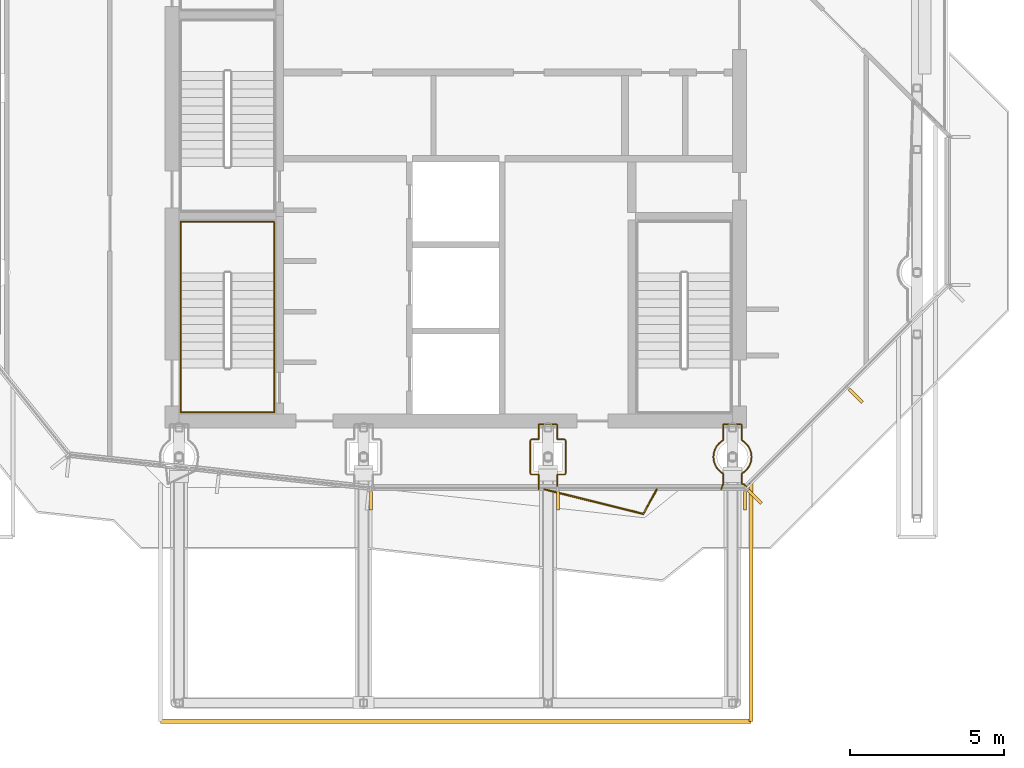
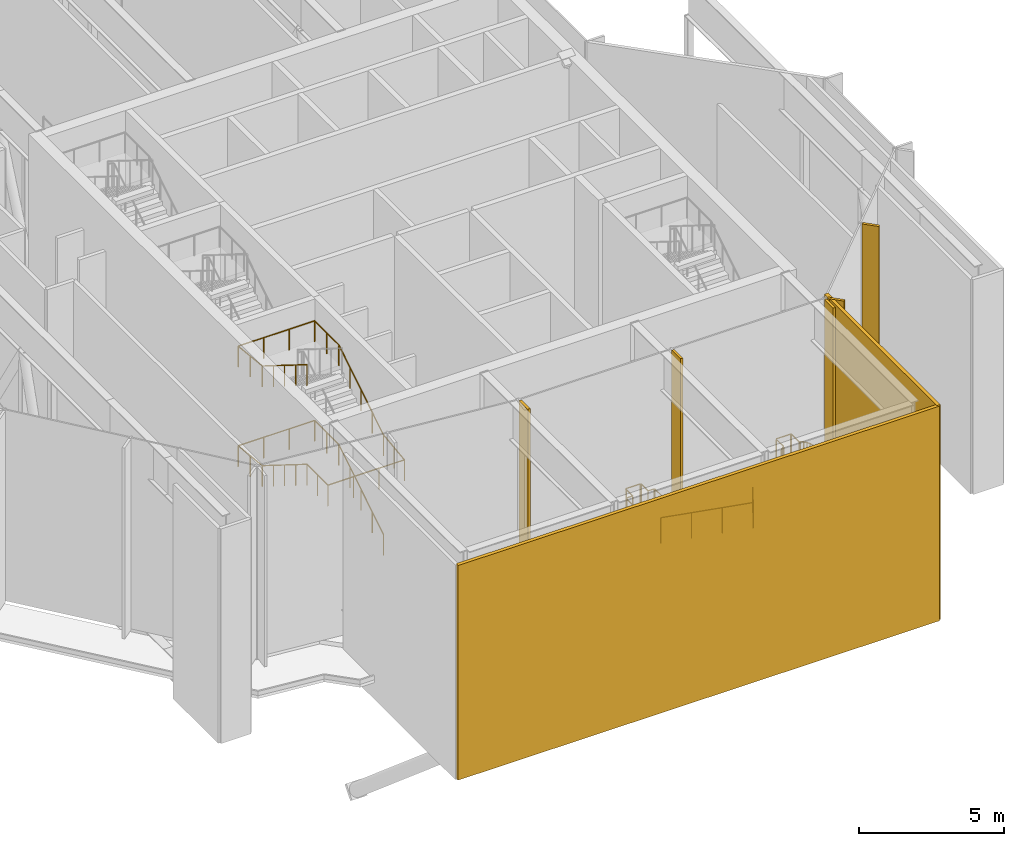
# One storey, part 16 of 21: 7 coverings, 4 railings.
"""IFC4 building model written with IfcOpenShell, lengths in metres."""

from ifc_helpers import new_model, si_unit, direction, frame, origin, origin_2d, place, context, subcontext, project, spatial, polyline, rectangle, circle, outline, extrude, material, layer, layer_set, type_object, element, save


model = new_model("IFC4")

# Units and contexts
model_context = context("Model", 3, precision=1e-05, world=origin(), true_north=direction((0.0, 1.0)))
body_context = subcontext(model_context, "Body", "Model", "MODEL_VIEW")
ifc_project = project(units=[si_unit("LENGTHUNIT", "METRE"), si_unit("AREAUNIT", "SQUARE_METRE"), si_unit("VOLUMEUNIT", "CUBIC_METRE"), si_unit("PLANEANGLEUNIT", "RADIAN"), si_unit("MASSUNIT", "GRAM", prefix="KILO")], contexts=[model_context])

# Site, building, storey
site_placement = place(None, origin())
site = spatial("IfcSite", under=ifc_project, at=site_placement, CompositionType="ELEMENT")
building_placement = place(site_placement, origin())
building = spatial("IfcBuilding", under=site, at=building_placement, Name="Welwitschia Terrace Campus", CompositionType="ELEMENT")
storey_placement = place(building_placement, frame((0.0, 0.0, 255.800048828125)))
storey = spatial("IfcBuildingStorey", under=building, at=storey_placement, Name="L57", CompositionType="ELEMENT", Elevation=255.800048828125)

# Coverings
ifc_material_1 = material(Name="Bronze anodised aluminium", Category="aluminium")
ifc_layer_1 = layer(ifc_material_1, 0.10009765625)
ifc_layer_set_1 = layer_set([ifc_layer_1], Name="Bronze anodised aluminium")
covering_type_1 = type_object("IfcCoveringType", Name="Bronze fin 100x600", PredefinedType="USERDEFINED", material=ifc_layer_set_1)
for number, where, z_axis, x_axis, name in (
    (1, (24.724853515625, 2.702392578125, 0.0), (0.0, 0.0, 1.0), (0.707106781187, 0.707106781187, 0.0), "Fin L57.0.0"),
    (2, (28.01123046875, 5.98876953125, 0.0), (0.0, 0.0, 1.0), (0.707106781187, 0.707106781187, 0.0), "Fin L57.0.1"),
    (3, (12.23583984375, 2.570068359375, 0.0), (0.0, 0.0, 1.0), (1.0, 0.0, 0.0), "Fin L57.11.0"),
    (4, (18.3203125, 2.570068359375, 0.0), (0.0, 0.0, 1.0), (1.0, 0.0, 0.0), "Fin L57.11.1"),
    (5, (24.40478515625, 2.570068359375, 0.0), (0.0, 0.0, 1.0), (1.0, 0.0, 0.0), "Fin L57.11.2"),
):
    element("IfcCovering", number, at=place(storey_placement, frame(where, z_axis=z_axis, x_axis=x_axis)), inside=storey, type_object=covering_type_1, Name=name, ObjectType="FIN", PredefinedType="USERDEFINED", context=body_context, shape_type="SweptSolid", body=[
        extrude(rectangle(XDim=0.10009765625, YDim=0.60009765625, at=origin_2d()), origin(), (0.0, 0.0, 1.0), 8.050048828125),
    ])

# Railings
ifc_material_2 = material(Name="Stainless steel grade 316", Category="steel")
railing_type_1 = type_object("IfcRailingType", Name="Guard 1100", PredefinedType="GUARDRAIL", material=ifc_material_2)
railing_1_placement = place(storey_placement, frame((21.539306640625, 2.949951171875, 0.0)))
element("IfcRailing", 6, at=railing_1_placement, inside=storey, type_object=railing_type_1, Name="Guard floor edge L57.2", PredefinedType="GUARDRAIL", context=body_context, shape_type="SweptSolid", body=[
    extrude(circle(Radius=0.02392578125, at=origin_2d()), frame((0.0, 0.0, 1.076171875), z_axis=(-0.480290199328, -0.877109642194, 0.0), x_axis=(0.877109642194, -0.480290199328, 0.0)), (0.0, 0.0, 1.0), 0.91552734375),
    extrude(circle(Radius=0.02392578125, at=origin_2d()), frame((-0.439697265625, -0.802978515625, 1.076171875), z_axis=(-0.970341055112, 0.241740018956, 0.0), x_axis=(-0.241740018956, -0.970341055112, 0.0)), (0.0, 0.0, 1.0), 3.32177734375),
    extrude(circle(Radius=0.02099609375, at=origin_2d()), origin(), (0.0, 0.0, 1.0), 1.052001953125),
    extrude(circle(Radius=0.02099609375, at=origin_2d()), frame((-0.439697265625, -0.802978515625, 0.0)), (0.0, 0.0, 1.0), 1.052001953125),
    extrude(circle(Radius=0.02099609375, at=origin_2d()), frame((-1.51416015625, -0.535400390625, 0.0)), (0.0, 0.0, 1.0), 1.052001953125),
    extrude(circle(Radius=0.02099609375, at=origin_2d()), frame((-2.58837890625, -0.267578125, 0.0)), (0.0, 0.0, 1.0), 1.052001953125),
    extrude(circle(Radius=0.02099609375, at=origin_2d()), frame((-3.662841796875, 0.0, 0.0)), (0.0, 0.0, 1.0), 1.052001953125),
])
railing_2_placement = place(storey_placement, frame((24.485107421875, 3.000244140625, 0.0)))
element("IfcRailing", 7, at=railing_2_placement, inside=storey, type_object=railing_type_1, Name="Guard floor edge L57.5", PredefinedType="GUARDRAIL", context=body_context, shape_type="SweptSolid", body=[
    extrude(circle(Radius=0.02392578125, at=origin_2d()), frame((0.0, 0.0, 1.076171875), z_axis=(-0.709257116303, 0.704949886852, 0.0), x_axis=(-0.704949886852, -0.709257116303, 0.0)), (0.0, 0.0, 1.0), 0.170166015625),
    extrude(circle(Radius=0.02392578125, at=origin_2d()), frame((-0.12060546875, 0.119873046875, 1.076171875), z_axis=(-1.0, 0.0, 0.0), x_axis=(0.0, -1.0, 0.0)), (0.0, 0.0, 1.0), 0.0595703125),
    extrude(circle(Radius=0.02392578125, at=origin_2d()), frame((-0.18017578125, 0.119873046875, 1.076171875), z_axis=(0.0, 1.0, 0.0), x_axis=(-1.0, 0.0, 0.0)), (0.0, 0.0, 1.0), 0.342529296875),
    extrude(circle(Radius=0.02392578125, at=origin_2d()), frame((-0.18017578125, 0.46240234375, 1.076171875), z_axis=(0.882203075316, 0.470869126089, 0.0), x_axis=(-0.470869126089, 0.882203075316, 0.0)), (0.0, 0.0, 1.0), 0.045166015625),
    extrude(circle(Radius=0.02392578125, at=origin_2d()), frame((-0.140380859375, 0.483642578125, 1.076171875), z_axis=(0.771988113438, 0.63563696613, 0.0), x_axis=(-0.63563696613, 0.771988113438, 0.0)), (0.0, 0.0, 1.0), 0.121826171875),
    extrude(circle(Radius=0.02392578125, at=origin_2d()), frame((-0.04638671875, 0.56103515625, 1.076171875), z_axis=(0.63563696613, 0.771988113438, 0.0), x_axis=(-0.771988113438, 0.63563696613, 0.0)), (0.0, 0.0, 1.0), 0.121826171875),
    extrude(circle(Radius=0.02392578125, at=origin_2d()), frame((0.031005859375, 0.655029296875, 1.076171875), z_axis=(0.470379554069, 0.882464206138, 0.0), x_axis=(-0.882464206138, 0.470379554069, 0.0)), (0.0, 0.0, 1.0), 0.121337890625),
    extrude(circle(Radius=0.02392578125, at=origin_2d()), frame((0.088134765625, 0.76220703125, 1.076171875), z_axis=(0.290842335819, 0.956770994384, 0.0), x_axis=(-0.956770994384, 0.290842335819, 0.0)), (0.0, 0.0, 1.0), 0.121826171875),
    extrude(circle(Radius=0.02392578125, at=origin_2d()), frame((0.12353515625, 0.878662109375, 1.076171875), z_axis=(0.098311749281, 0.995155666192, 0.0), x_axis=(-0.995155666192, 0.098311749281, 0.0)), (0.0, 0.0, 1.0), 0.12158203125),
    extrude(circle(Radius=0.02392578125, at=origin_2d()), frame((0.135498046875, 0.999755859375, 1.076171875), z_axis=(-0.098311749281, 0.995155666192, 0.0), x_axis=(-0.995155666192, -0.098311749281, 0.0)), (0.0, 0.0, 1.0), 0.12158203125),
    extrude(circle(Radius=0.02392578125, at=origin_2d()), frame((0.12353515625, 1.120849609375, 1.076171875), z_axis=(-0.290842335819, 0.956770994384, 0.0), x_axis=(-0.956770994384, -0.290842335819, 0.0)), (0.0, 0.0, 1.0), 0.121826171875),
    extrude(circle(Radius=0.02392578125, at=origin_2d()), frame((0.088134765625, 1.2373046875, 1.076171875), z_axis=(-0.470379554069, 0.882464206138, 0.0), x_axis=(-0.882464206138, -0.470379554069, 0.0)), (0.0, 0.0, 1.0), 0.121337890625),
    extrude(circle(Radius=0.02392578125, at=origin_2d()), frame((0.031005859375, 1.344482421875, 1.076171875), z_axis=(-0.63563696613, 0.771988113438, 0.0), x_axis=(-0.771988113438, -0.63563696613, 0.0)), (0.0, 0.0, 1.0), 0.121826171875),
    extrude(circle(Radius=0.02392578125, at=origin_2d()), frame((-0.04638671875, 1.4384765625, 1.076171875), z_axis=(-0.771988113438, 0.63563696613, 0.0), x_axis=(-0.63563696613, -0.771988113438, 0.0)), (0.0, 0.0, 1.0), 0.121826171875),
    extrude(circle(Radius=0.02392578125, at=origin_2d()), frame((-0.140380859375, 1.515869140625, 1.076171875), z_axis=(-0.882203075316, 0.470869126089, 0.0), x_axis=(-0.470869126089, -0.882203075316, 0.0)), (0.0, 0.0, 1.0), 0.045166015625),
    extrude(circle(Radius=0.02392578125, at=origin_2d()), frame((-0.18017578125, 1.537109375, 1.076171875), z_axis=(0.0, 1.0, 0.0), x_axis=(-1.0, 0.0, 0.0)), (0.0, 0.0, 1.0), 0.5048828125),
    extrude(circle(Radius=0.02392578125, at=origin_2d()), frame((-0.18017578125, 2.0419921875, 1.076171875), z_axis=(-0.707106781187, 0.707106781187, 0.0), x_axis=(-0.707106781187, -0.707106781187, 0.0)), (0.0, 0.0, 1.0), 0.039306640625),
    extrude(circle(Radius=0.02392578125, at=origin_2d()), frame((-0.2080078125, 2.06982421875, 1.076171875), z_axis=(-1.0, 0.0, 0.0), x_axis=(0.0, -1.0, 0.0)), (0.0, 0.0, 1.0), 0.55419921875),
    extrude(circle(Radius=0.02392578125, at=origin_2d()), frame((-0.76220703125, 2.06982421875, 1.076171875), z_axis=(-0.707106781187, -0.707106781187, 0.0), x_axis=(0.707106781187, -0.707106781187, 0.0)), (0.0, 0.0, 1.0), 0.039306640625),
    extrude(circle(Radius=0.02392578125, at=origin_2d()), frame((-0.7900390625, 2.0419921875, 1.076171875), z_axis=(0.0, -1.0, 0.0), x_axis=(1.0, 0.0, 0.0)), (0.0, 0.0, 1.0), 0.5048828125),
    extrude(circle(Radius=0.02392578125, at=origin_2d()), frame((-0.7900390625, 1.537109375, 1.076171875), z_axis=(-0.882203075316, -0.470869126089, 0.0), x_axis=(0.470869126089, -0.882203075316, 0.0)), (0.0, 0.0, 1.0), 0.045166015625),
    extrude(circle(Radius=0.02392578125, at=origin_2d()), frame((-0.829833984375, 1.515869140625, 1.076171875), z_axis=(-0.771988113438, -0.63563696613, 0.0), x_axis=(0.63563696613, -0.771988113438, 0.0)), (0.0, 0.0, 1.0), 0.121826171875),
    extrude(circle(Radius=0.02392578125, at=origin_2d()), frame((-0.923828125, 1.4384765625, 1.076171875), z_axis=(-0.63563696613, -0.771988113438, 0.0), x_axis=(0.771988113438, -0.63563696613, 0.0)), (0.0, 0.0, 1.0), 0.121826171875),
    extrude(circle(Radius=0.02392578125, at=origin_2d()), frame((-1.001220703125, 1.344482421875, 1.076171875), z_axis=(-0.470379554069, -0.882464206138, 0.0), x_axis=(0.882464206138, -0.470379554069, 0.0)), (0.0, 0.0, 1.0), 0.121337890625),
    extrude(circle(Radius=0.02392578125, at=origin_2d()), frame((-1.058349609375, 1.2373046875, 1.076171875), z_axis=(-0.290842335819, -0.956770994384, 0.0), x_axis=(0.956770994384, -0.290842335819, 0.0)), (0.0, 0.0, 1.0), 0.121826171875),
    extrude(circle(Radius=0.02392578125, at=origin_2d()), frame((-1.09375, 1.120849609375, 1.076171875), z_axis=(-0.098311749281, -0.995155666192, 0.0), x_axis=(0.995155666192, -0.098311749281, 0.0)), (0.0, 0.0, 1.0), 0.12158203125),
    extrude(circle(Radius=0.02392578125, at=origin_2d()), frame((-1.105712890625, 0.999755859375, 1.076171875), z_axis=(0.098311749281, -0.995155666192, 0.0), x_axis=(0.995155666192, 0.098311749281, 0.0)), (0.0, 0.0, 1.0), 0.12158203125),
    extrude(circle(Radius=0.02392578125, at=origin_2d()), frame((-1.09375, 0.878662109375, 1.076171875), z_axis=(0.290842335819, -0.956770994384, 0.0), x_axis=(0.956770994384, 0.290842335819, 0.0)), (0.0, 0.0, 1.0), 0.121826171875),
    extrude(circle(Radius=0.02392578125, at=origin_2d()), frame((-1.058349609375, 0.76220703125, 1.076171875), z_axis=(0.470379554069, -0.882464206138, 0.0), x_axis=(0.882464206138, 0.470379554069, 0.0)), (0.0, 0.0, 1.0), 0.121337890625),
    extrude(circle(Radius=0.02392578125, at=origin_2d()), frame((-1.001220703125, 0.655029296875, 1.076171875), z_axis=(0.63563696613, -0.771988113438, 0.0), x_axis=(0.771988113438, 0.63563696613, 0.0)), (0.0, 0.0, 1.0), 0.121826171875),
    extrude(circle(Radius=0.02392578125, at=origin_2d()), frame((-0.923828125, 0.56103515625, 1.076171875), z_axis=(0.771988113438, -0.63563696613, 0.0), x_axis=(0.63563696613, 0.771988113438, 0.0)), (0.0, 0.0, 1.0), 0.121826171875),
    extrude(circle(Radius=0.02392578125, at=origin_2d()), frame((-0.829833984375, 0.483642578125, 1.076171875), z_axis=(0.882203075316, -0.470869126089, 0.0), x_axis=(0.470869126089, 0.882203075316, 0.0)), (0.0, 0.0, 1.0), 0.045166015625),
    extrude(circle(Radius=0.02392578125, at=origin_2d()), frame((-0.7900390625, 0.46240234375, 1.076171875), z_axis=(0.0, -1.0, 0.0), x_axis=(1.0, 0.0, 0.0)), (0.0, 0.0, 1.0), 0.342529296875),
    extrude(circle(Radius=0.02392578125, at=origin_2d()), frame((-0.7900390625, 0.119873046875, 1.076171875), z_axis=(-0.332820117735, -0.942990333583, 0.0), x_axis=(0.942990333583, -0.332820117735, 0.0)), (0.0, 0.0, 1.0), 0.180419921875),
    extrude(circle(Radius=0.02099609375, at=origin_2d()), origin(), (0.0, 0.0, 1.0), 1.052001953125),
    extrude(circle(Radius=0.02099609375, at=origin_2d()), frame((-0.12060546875, 0.119873046875, 0.0)), (0.0, 0.0, 1.0), 1.052001953125),
    extrude(circle(Radius=0.02099609375, at=origin_2d()), frame((-0.18017578125, 0.119873046875, 0.0)), (0.0, 0.0, 1.0), 1.052001953125),
    extrude(circle(Radius=0.02099609375, at=origin_2d()), frame((-0.18017578125, 0.46240234375, 0.0)), (0.0, 0.0, 1.0), 1.052001953125),
    extrude(circle(Radius=0.02099609375, at=origin_2d()), frame((-0.140380859375, 0.483642578125, 0.0)), (0.0, 0.0, 1.0), 1.052001953125),
    extrude(circle(Radius=0.02099609375, at=origin_2d()), frame((-0.04638671875, 0.56103515625, 0.0)), (0.0, 0.0, 1.0), 1.052001953125),
    extrude(circle(Radius=0.02099609375, at=origin_2d()), frame((0.031005859375, 0.655029296875, 0.0)), (0.0, 0.0, 1.0), 1.052001953125),
    extrude(circle(Radius=0.02099609375, at=origin_2d()), frame((0.088134765625, 0.76220703125, 0.0)), (0.0, 0.0, 1.0), 1.052001953125),
    extrude(circle(Radius=0.02099609375, at=origin_2d()), frame((0.12353515625, 0.878662109375, 0.0)), (0.0, 0.0, 1.0), 1.052001953125),
    extrude(circle(Radius=0.02099609375, at=origin_2d()), frame((0.135498046875, 0.999755859375, 0.0)), (0.0, 0.0, 1.0), 1.052001953125),
    extrude(circle(Radius=0.02099609375, at=origin_2d()), frame((0.12353515625, 1.120849609375, 0.0)), (0.0, 0.0, 1.0), 1.052001953125),
    extrude(circle(Radius=0.02099609375, at=origin_2d()), frame((0.088134765625, 1.2373046875, 0.0)), (0.0, 0.0, 1.0), 1.052001953125),
    extrude(circle(Radius=0.02099609375, at=origin_2d()), frame((0.031005859375, 1.344482421875, 0.0)), (0.0, 0.0, 1.0), 1.052001953125),
    extrude(circle(Radius=0.02099609375, at=origin_2d()), frame((-0.04638671875, 1.4384765625, 0.0)), (0.0, 0.0, 1.0), 1.052001953125),
    extrude(circle(Radius=0.02099609375, at=origin_2d()), frame((-0.140380859375, 1.515869140625, 0.0)), (0.0, 0.0, 1.0), 1.052001953125),
    extrude(circle(Radius=0.02099609375, at=origin_2d()), frame((-0.18017578125, 1.537109375, 0.0)), (0.0, 0.0, 1.0), 1.052001953125),
    extrude(circle(Radius=0.02099609375, at=origin_2d()), frame((-0.18017578125, 2.0419921875, 0.0)), (0.0, 0.0, 1.0), 1.052001953125),
    extrude(circle(Radius=0.02099609375, at=origin_2d()), frame((-0.2080078125, 2.06982421875, 0.0)), (0.0, 0.0, 1.0), 1.052001953125),
    extrude(circle(Radius=0.02099609375, at=origin_2d()), frame((-0.76220703125, 2.06982421875, 0.0)), (0.0, 0.0, 1.0), 1.052001953125),
    extrude(circle(Radius=0.02099609375, at=origin_2d()), frame((-0.7900390625, 2.0419921875, 0.0)), (0.0, 0.0, 1.0), 1.052001953125),
    extrude(circle(Radius=0.02099609375, at=origin_2d()), frame((-0.7900390625, 1.537109375, 0.0)), (0.0, 0.0, 1.0), 1.052001953125),
    extrude(circle(Radius=0.02099609375, at=origin_2d()), frame((-0.829833984375, 1.515869140625, 0.0)), (0.0, 0.0, 1.0), 1.052001953125),
    extrude(circle(Radius=0.02099609375, at=origin_2d()), frame((-0.923828125, 1.4384765625, 0.0)), (0.0, 0.0, 1.0), 1.052001953125),
    extrude(circle(Radius=0.02099609375, at=origin_2d()), frame((-1.001220703125, 1.344482421875, 0.0)), (0.0, 0.0, 1.0), 1.052001953125),
    extrude(circle(Radius=0.02099609375, at=origin_2d()), frame((-1.058349609375, 1.2373046875, 0.0)), (0.0, 0.0, 1.0), 1.052001953125),
    extrude(circle(Radius=0.02099609375, at=origin_2d()), frame((-1.09375, 1.120849609375, 0.0)), (0.0, 0.0, 1.0), 1.052001953125),
    extrude(circle(Radius=0.02099609375, at=origin_2d()), frame((-1.105712890625, 0.999755859375, 0.0)), (0.0, 0.0, 1.0), 1.052001953125),
    extrude(circle(Radius=0.02099609375, at=origin_2d()), frame((-1.09375, 0.878662109375, 0.0)), (0.0, 0.0, 1.0), 1.052001953125),
    extrude(circle(Radius=0.02099609375, at=origin_2d()), frame((-1.058349609375, 0.76220703125, 0.0)), (0.0, 0.0, 1.0), 1.052001953125),
    extrude(circle(Radius=0.02099609375, at=origin_2d()), frame((-1.001220703125, 0.655029296875, 0.0)), (0.0, 0.0, 1.0), 1.052001953125),
    extrude(circle(Radius=0.02099609375, at=origin_2d()), frame((-0.923828125, 0.56103515625, 0.0)), (0.0, 0.0, 1.0), 1.052001953125),
    extrude(circle(Radius=0.02099609375, at=origin_2d()), frame((-0.829833984375, 0.483642578125, 0.0)), (0.0, 0.0, 1.0), 1.052001953125),
    extrude(circle(Radius=0.02099609375, at=origin_2d()), frame((-0.7900390625, 0.46240234375, 0.0)), (0.0, 0.0, 1.0), 1.052001953125),
    extrude(circle(Radius=0.02099609375, at=origin_2d()), frame((-0.7900390625, 0.119873046875, 0.0)), (0.0, 0.0, 1.0), 1.052001953125),
    extrude(circle(Radius=0.02099609375, at=origin_2d()), frame((-0.85009765625, -0.05029296875, 0.0)), (0.0, 0.0, 1.0), 1.052001953125),
])
railing_3_placement = place(storey_placement, frame((18.304931640625, 2.949951171875, 0.0)))
element("IfcRailing", 8, at=railing_3_placement, inside=storey, type_object=railing_type_1, Name="Guard floor edge L57.18", PredefinedType="GUARDRAIL", context=body_context, shape_type="SweptSolid", body=[
    extrude(circle(Radius=0.02392578125, at=origin_2d()), frame((0.0, 0.0, 1.076171875), z_axis=(0.0, 1.0, 0.0), x_axis=(-1.0, 0.0, 0.0)), (0.0, 0.0, 1.0), 0.47998046875),
    extrude(circle(Radius=0.02392578125, at=origin_2d()), frame((0.0, 0.47998046875, 1.076171875), z_axis=(1.0, 0.0, 0.0), x_axis=(0.0, 1.0, 0.0)), (0.0, 0.0, 1.0), 0.2373046875),
    extrude(circle(Radius=0.02392578125, at=origin_2d()), frame((0.2373046875, 0.47998046875, 1.076171875), z_axis=(0.707106781187, 0.707106781187, 0.0), x_axis=(-0.707106781187, 0.707106781187, 0.0)), (0.0, 0.0, 1.0), 0.039306640625),
    extrude(circle(Radius=0.02392578125, at=origin_2d()), frame((0.26513671875, 0.5078125, 1.076171875), z_axis=(0.0, 1.0, 0.0), x_axis=(-1.0, 0.0, 0.0)), (0.0, 0.0, 1.0), 1.08447265625),
    extrude(circle(Radius=0.02392578125, at=origin_2d()), frame((0.26513671875, 1.59228515625, 1.076171875), z_axis=(-0.707106781187, 0.707106781187, 0.0), x_axis=(-0.707106781187, -0.707106781187, 0.0)), (0.0, 0.0, 1.0), 0.039306640625),
    extrude(circle(Radius=0.02392578125, at=origin_2d()), frame((0.2373046875, 1.6201171875, 1.076171875), z_axis=(-1.0, 0.0, 0.0), x_axis=(0.0, -1.0, 0.0)), (0.0, 0.0, 1.0), 0.2373046875),
    extrude(circle(Radius=0.02392578125, at=origin_2d()), frame((0.0, 1.6201171875, 1.076171875), z_axis=(0.0, 1.0, 0.0), x_axis=(-1.0, 0.0, 0.0)), (0.0, 0.0, 1.0), 0.47216796875),
    extrude(circle(Radius=0.02392578125, at=origin_2d()), frame((0.0, 2.09228515625, 1.076171875), z_axis=(-0.707106781187, 0.707106781187, 0.0), x_axis=(-0.707106781187, -0.707106781187, 0.0)), (0.0, 0.0, 1.0), 0.039306640625),
    extrude(circle(Radius=0.02392578125, at=origin_2d()), frame((-0.02783203125, 2.1201171875, 1.076171875), z_axis=(-1.0, 0.0, 0.0), x_axis=(0.0, -1.0, 0.0)), (0.0, 0.0, 1.0), 0.55419921875),
    extrude(circle(Radius=0.02392578125, at=origin_2d()), frame((-0.58203125, 2.1201171875, 1.076171875), z_axis=(-0.707106781187, -0.707106781187, 0.0), x_axis=(0.707106781187, -0.707106781187, 0.0)), (0.0, 0.0, 1.0), 0.039306640625),
    extrude(circle(Radius=0.02392578125, at=origin_2d()), frame((-0.60986328125, 2.09228515625, 1.076171875), z_axis=(0.0, -1.0, 0.0), x_axis=(1.0, 0.0, 0.0)), (0.0, 0.0, 1.0), 0.47216796875),
    extrude(circle(Radius=0.02392578125, at=origin_2d()), frame((-0.60986328125, 1.6201171875, 1.076171875), z_axis=(-1.0, 0.0, 0.0), x_axis=(0.0, -1.0, 0.0)), (0.0, 0.0, 1.0), 0.2373046875),
    extrude(circle(Radius=0.02392578125, at=origin_2d()), frame((-0.84716796875, 1.6201171875, 1.076171875), z_axis=(-0.707106781187, -0.707106781187, 0.0), x_axis=(0.707106781187, -0.707106781187, 0.0)), (0.0, 0.0, 1.0), 0.039306640625),
    extrude(circle(Radius=0.02392578125, at=origin_2d()), frame((-0.875, 1.59228515625, 1.076171875), z_axis=(0.0, -1.0, 0.0), x_axis=(1.0, 0.0, 0.0)), (0.0, 0.0, 1.0), 1.08447265625),
    extrude(circle(Radius=0.02392578125, at=origin_2d()), frame((-0.875, 0.5078125, 1.076171875), z_axis=(0.707106781187, -0.707106781187, 0.0), x_axis=(0.707106781187, 0.707106781187, 0.0)), (0.0, 0.0, 1.0), 0.039306640625),
    extrude(circle(Radius=0.02392578125, at=origin_2d()), frame((-0.84716796875, 0.47998046875, 1.076171875), z_axis=(1.0, 0.0, 0.0), x_axis=(0.0, 1.0, 0.0)), (0.0, 0.0, 1.0), 0.2373046875),
    extrude(circle(Radius=0.02392578125, at=origin_2d()), frame((-0.60986328125, 0.47998046875, 1.076171875), z_axis=(0.0, -1.0, 0.0), x_axis=(1.0, 0.0, 0.0)), (0.0, 0.0, 1.0), 0.47998046875),
    extrude(circle(Radius=0.02099609375, at=origin_2d()), origin(), (0.0, 0.0, 1.0), 1.052001953125),
    extrude(circle(Radius=0.02099609375, at=origin_2d()), frame((0.0, 0.47998046875, 0.0)), (0.0, 0.0, 1.0), 1.052001953125),
    extrude(circle(Radius=0.02099609375, at=origin_2d()), frame((0.2373046875, 0.47998046875, 0.0)), (0.0, 0.0, 1.0), 1.052001953125),
    extrude(circle(Radius=0.02099609375, at=origin_2d()), frame((0.26513671875, 0.5078125, 0.0)), (0.0, 0.0, 1.0), 1.052001953125),
    extrude(circle(Radius=0.02099609375, at=origin_2d()), frame((0.26513671875, 1.59228515625, 0.0)), (0.0, 0.0, 1.0), 1.052001953125),
    extrude(circle(Radius=0.02099609375, at=origin_2d()), frame((0.2373046875, 1.6201171875, 0.0)), (0.0, 0.0, 1.0), 1.052001953125),
    extrude(circle(Radius=0.02099609375, at=origin_2d()), frame((0.0, 1.6201171875, 0.0)), (0.0, 0.0, 1.0), 1.052001953125),
    extrude(circle(Radius=0.02099609375, at=origin_2d()), frame((0.0, 2.09228515625, 0.0)), (0.0, 0.0, 1.0), 1.052001953125),
    extrude(circle(Radius=0.02099609375, at=origin_2d()), frame((-0.02783203125, 2.1201171875, 0.0)), (0.0, 0.0, 1.0), 1.052001953125),
    extrude(circle(Radius=0.02099609375, at=origin_2d()), frame((-0.58203125, 2.1201171875, 0.0)), (0.0, 0.0, 1.0), 1.052001953125),
    extrude(circle(Radius=0.02099609375, at=origin_2d()), frame((-0.60986328125, 2.09228515625, 0.0)), (0.0, 0.0, 1.0), 1.052001953125),
    extrude(circle(Radius=0.02099609375, at=origin_2d()), frame((-0.60986328125, 1.6201171875, 0.0)), (0.0, 0.0, 1.0), 1.052001953125),
    extrude(circle(Radius=0.02099609375, at=origin_2d()), frame((-0.84716796875, 1.6201171875, 0.0)), (0.0, 0.0, 1.0), 1.052001953125),
    extrude(circle(Radius=0.02099609375, at=origin_2d()), frame((-0.875, 1.59228515625, 0.0)), (0.0, 0.0, 1.0), 1.052001953125),
    extrude(circle(Radius=0.02099609375, at=origin_2d()), frame((-0.875, 0.5078125, 0.0)), (0.0, 0.0, 1.0), 1.052001953125),
    extrude(circle(Radius=0.02099609375, at=origin_2d()), frame((-0.84716796875, 0.47998046875, 0.0)), (0.0, 0.0, 1.0), 1.052001953125),
    extrude(circle(Radius=0.02099609375, at=origin_2d()), frame((-0.60986328125, 0.47998046875, 0.0)), (0.0, 0.0, 1.0), 1.052001953125),
    extrude(circle(Radius=0.02099609375, at=origin_2d()), frame((-0.60986328125, 0.0, 0.0)), (0.0, 0.0, 1.0), 1.052001953125),
])

# Coverings
ifc_material_3 = material(Name="Bronze anodised aluminium", Category="aluminium")
ifc_layer_2 = layer(ifc_material_3, 0.139892578125)
ifc_layer_set_2 = layer_set([ifc_layer_2], Name="Bronze anodised aluminium")
covering_type_2 = type_object("IfcCoveringType", Name="Soffit fascia cladding 140", PredefinedType="CLADDING", material=ifc_layer_set_2)
covering_1_placement = place(storey_placement, frame((0.0, 0.0, -1.0)))
element("IfcCovering", 9, at=covering_1_placement, inside=storey, type_object=covering_type_2, Name="Clad fascia L57.tip fascia St1 end", PredefinedType="CLADDING", context=body_context, shape_type="SweptSolid", body=[
    extrude(outline(polyline([(24.60009765625, -4.530029296875), (5.39990234375, -4.530029296875), (5.39990234375, -4.669921875), (24.60009765625, -4.669921875), (24.60009765625, -4.530029296875)])), origin(), (0.0, 0.0, 1.0), 9.050048828125),
])
covering_2_placement = place(storey_placement, frame((0.0, 0.0, -1.0)))
element("IfcCovering", 10, at=covering_2_placement, inside=storey, type_object=covering_type_2, Name="Clad fascia L57.tip fascia St1 e", PredefinedType="CLADDING", context=body_context, shape_type="SweptSolid", body=[
    extrude(outline(polyline([(24.669921875, -4.60009765625), (24.669921875, 3.157470703125), (24.530029296875, 3.157470703125), (24.530029296875, -4.60009765625), (24.669921875, -4.60009765625)])), origin(), (0.0, 0.0, 1.0), 9.050048828125),
])

# Railing
ifc_material_4 = material(Name="Steel S355", Category="steel")
railing_type_2 = type_object("IfcRailingType", Name="Stair handrail 900", PredefinedType="HANDRAIL", material=ifc_material_4)
railing_4_placement = place(storey_placement, frame((9.10009765625, 6.89990234375, 0.175048828125)))
element("IfcRailing", 11, at=railing_4_placement, inside=storey, type_object=railing_type_2, Name="L57 S1 stair handrail", PredefinedType="HANDRAIL", context=body_context, shape_type="SweptSolid", body=[
    extrude(circle(Radius=0.02392578125, at=origin_2d()), frame((0.0, 0.0, 0.8759765625), z_axis=(0.0, 0.848028513186, 0.529950602248), x_axis=(-1.0, 0.0, 0.0)), (0.0, 0.0, 1.0), 3.632080078125),
    extrude(circle(Radius=0.02392578125, at=origin_2d()), frame((0.0, 3.080078125, 2.80078125), z_axis=(0.0, 1.0, 0.0), x_axis=(-1.0, 0.0, 0.0)), (0.0, 0.0, 1.0), 1.669921875),
    extrude(circle(Radius=0.02392578125, at=origin_2d()), frame((0.0, 4.75, 2.80078125), z_axis=(-1.0, 0.0, 0.0), x_axis=(0.0, -1.0, 0.0)), (0.0, 0.0, 1.0), 3.050048828125),
    extrude(circle(Radius=0.02392578125, at=origin_2d()), frame((-3.050048828125, 4.75, 2.80078125), z_axis=(0.0, -0.99455077262, 0.104253348533), x_axis=(1.0, 0.0, 0.0)), (0.0, 0.0, 1.0), 1.678955078125),
    extrude(circle(Radius=0.02392578125, at=origin_2d()), frame((-3.050048828125, 3.080078125, 2.9755859375), z_axis=(0.0, -0.847998304005, 0.529998940003), x_axis=(1.0, 0.0, 0.0)), (0.0, 0.0, 1.0), 3.632080078125),
    extrude(circle(Radius=0.02392578125, at=origin_2d()), frame((-3.050048828125, 0.0, 4.90087890625), z_axis=(0.0, -1.0, 0.0), x_axis=(1.0, 0.0, 0.0)), (0.0, 0.0, 1.0), 1.449951171875),
    extrude(circle(Radius=0.02392578125, at=origin_2d()), frame((-3.050048828125, -1.449951171875, 4.90087890625), z_axis=(1.0, 0.0, 0.0), x_axis=(0.0, 1.0, 0.0)), (0.0, 0.0, 1.0), 3.050048828125),
    extrude(circle(Radius=0.02392578125, at=origin_2d()), frame((0.0, -1.449951171875, 4.90087890625), z_axis=(0.0, 0.992791155251, 0.119857090136), x_axis=(-1.0, 0.0, 0.0)), (0.0, 0.0, 1.0), 1.46044921875),
    extrude(circle(Radius=0.02392578125, at=origin_2d()), frame((0.0, 0.0, 5.07568359375), z_axis=(0.0, 0.847998304005, 0.529998940003), x_axis=(-1.0, 0.0, 0.0)), (0.0, 0.0, 1.0), 3.632080078125),
    extrude(circle(Radius=0.02392578125, at=origin_2d()), frame((0.0, 3.080078125, 7.0009765625), z_axis=(0.0, 1.0, 0.0), x_axis=(-1.0, 0.0, 0.0)), (0.0, 0.0, 1.0), 1.669921875),
    extrude(circle(Radius=0.02392578125, at=origin_2d()), frame((0.0, 4.75, 7.0009765625), z_axis=(-1.0, 0.0, 0.0), x_axis=(0.0, -1.0, 0.0)), (0.0, 0.0, 1.0), 3.050048828125),
    extrude(circle(Radius=0.02392578125, at=origin_2d()), frame((-3.050048828125, 4.75, 7.0009765625), z_axis=(0.0, -0.994565838508, 0.104109523446), x_axis=(1.0, 0.0, 0.0)), (0.0, 0.0, 1.0), 1.678955078125),
    extrude(circle(Radius=0.02392578125, at=origin_2d()), frame((-3.050048828125, 3.080078125, 7.17578125), z_axis=(0.0, -0.847998304005, 0.529998940003), x_axis=(1.0, 0.0, 0.0)), (0.0, 0.0, 1.0), 3.632080078125),
    extrude(circle(Radius=0.02099609375, at=origin_2d()), origin(), (0.0, 0.0, 1.0), 0.851806640625),
    extrude(circle(Radius=0.02099609375, at=origin_2d()), frame((0.0, 0.77001953125, 0.481201171875)), (0.0, 0.0, 1.0), 0.851806640625),
    extrude(circle(Radius=0.02099609375, at=origin_2d()), frame((0.0, 1.5400390625, 0.96240234375)), (0.0, 0.0, 1.0), 0.851806640625),
    extrude(circle(Radius=0.02099609375, at=origin_2d()), frame((0.0, 2.31005859375, 1.443603515625)), (0.0, 0.0, 1.0), 0.851806640625),
    extrude(circle(Radius=0.02099609375, at=origin_2d()), frame((0.0, 3.080078125, 1.9248046875)), (0.0, 0.0, 1.0), 0.851806640625),
    extrude(circle(Radius=0.02099609375, at=origin_2d()), frame((0.0, 3.9150390625, 1.9248046875)), (0.0, 0.0, 1.0), 0.851806640625),
    extrude(circle(Radius=0.02099609375, at=origin_2d()), frame((0.0, 4.75, 1.9248046875)), (0.0, 0.0, 1.0), 0.851806640625),
    extrude(circle(Radius=0.02099609375, at=origin_2d()), frame((-1.0166015625, 4.75, 1.9248046875)), (0.0, 0.0, 1.0), 0.851806640625),
    extrude(circle(Radius=0.02099609375, at=origin_2d()), frame((-2.033447265625, 4.75, 1.9248046875)), (0.0, 0.0, 1.0), 0.851806640625),
    extrude(circle(Radius=0.02099609375, at=origin_2d()), frame((-3.050048828125, 4.75, 1.9248046875)), (0.0, 0.0, 1.0), 0.851806640625),
    extrude(circle(Radius=0.02099609375, at=origin_2d()), frame((-3.050048828125, 3.9150390625, 2.01220703125)), (0.0, 0.0, 1.0), 0.851806640625),
    extrude(circle(Radius=0.02099609375, at=origin_2d()), frame((-3.050048828125, 3.080078125, 2.099853515625)), (0.0, 0.0, 1.0), 0.851806640625),
    extrude(circle(Radius=0.02099609375, at=origin_2d()), frame((-3.050048828125, 2.31005859375, 2.5810546875)), (0.0, 0.0, 1.0), 0.851806640625),
    extrude(circle(Radius=0.02099609375, at=origin_2d()), frame((-3.050048828125, 1.5400390625, 3.0625)), (0.0, 0.0, 1.0), 0.851806640625),
    extrude(circle(Radius=0.02099609375, at=origin_2d()), frame((-3.050048828125, 0.77001953125, 3.543701171875)), (0.0, 0.0, 1.0), 0.851806640625),
    extrude(circle(Radius=0.02099609375, at=origin_2d()), frame((-3.050048828125, 0.0, 4.02490234375)), (0.0, 0.0, 1.0), 0.851806640625),
    extrude(circle(Radius=0.02099609375, at=origin_2d()), frame((-3.050048828125, -0.72509765625, 4.02490234375)), (0.0, 0.0, 1.0), 0.851806640625),
    extrude(circle(Radius=0.02099609375, at=origin_2d()), frame((-3.050048828125, -1.449951171875, 4.02490234375)), (0.0, 0.0, 1.0), 0.851806640625),
    extrude(circle(Radius=0.02099609375, at=origin_2d()), frame((-2.033447265625, -1.449951171875, 4.02490234375)), (0.0, 0.0, 1.0), 0.851806640625),
    extrude(circle(Radius=0.02099609375, at=origin_2d()), frame((-1.0166015625, -1.449951171875, 4.02490234375)), (0.0, 0.0, 1.0), 0.851806640625),
    extrude(circle(Radius=0.02099609375, at=origin_2d()), frame((0.0, -1.449951171875, 4.02490234375)), (0.0, 0.0, 1.0), 0.851806640625),
    extrude(circle(Radius=0.02099609375, at=origin_2d()), frame((0.0, -0.72509765625, 4.1123046875)), (0.0, 0.0, 1.0), 0.851806640625),
    extrude(circle(Radius=0.02099609375, at=origin_2d()), frame((0.0, 0.0, 4.199951171875)), (0.0, 0.0, 1.0), 0.851806640625),
    extrude(circle(Radius=0.02099609375, at=origin_2d()), frame((0.0, 0.77001953125, 4.68115234375)), (0.0, 0.0, 1.0), 0.851806640625),
    extrude(circle(Radius=0.02099609375, at=origin_2d()), frame((0.0, 1.5400390625, 5.16259765625)), (0.0, 0.0, 1.0), 0.851806640625),
    extrude(circle(Radius=0.02099609375, at=origin_2d()), frame((0.0, 2.31005859375, 5.643798828125)), (0.0, 0.0, 1.0), 0.851806640625),
    extrude(circle(Radius=0.02099609375, at=origin_2d()), frame((0.0, 3.080078125, 6.125)), (0.0, 0.0, 1.0), 0.851806640625),
    extrude(circle(Radius=0.02099609375, at=origin_2d()), frame((0.0, 3.9150390625, 6.125)), (0.0, 0.0, 1.0), 0.851806640625),
    extrude(circle(Radius=0.02099609375, at=origin_2d()), frame((0.0, 4.75, 6.125)), (0.0, 0.0, 1.0), 0.851806640625),
    extrude(circle(Radius=0.02099609375, at=origin_2d()), frame((-1.0166015625, 4.75, 6.125)), (0.0, 0.0, 1.0), 0.851806640625),
    extrude(circle(Radius=0.02099609375, at=origin_2d()), frame((-2.033447265625, 4.75, 6.125)), (0.0, 0.0, 1.0), 0.851806640625),
    extrude(circle(Radius=0.02099609375, at=origin_2d()), frame((-3.050048828125, 4.75, 6.125)), (0.0, 0.0, 1.0), 0.851806640625),
    extrude(circle(Radius=0.02099609375, at=origin_2d()), frame((-3.050048828125, 3.9150390625, 6.21240234375)), (0.0, 0.0, 1.0), 0.851806640625),
    extrude(circle(Radius=0.02099609375, at=origin_2d()), frame((-3.050048828125, 3.080078125, 6.2998046875)), (0.0, 0.0, 1.0), 0.851806640625),
    extrude(circle(Radius=0.02099609375, at=origin_2d()), frame((-3.050048828125, 2.31005859375, 6.781005859375)), (0.0, 0.0, 1.0), 0.851806640625),
    extrude(circle(Radius=0.02099609375, at=origin_2d()), frame((-3.050048828125, 1.5400390625, 7.26220703125)), (0.0, 0.0, 1.0), 0.851806640625),
    extrude(circle(Radius=0.02099609375, at=origin_2d()), frame((-3.050048828125, 0.77001953125, 7.74365234375)), (0.0, 0.0, 1.0), 0.851806640625),
    extrude(circle(Radius=0.02099609375, at=origin_2d()), frame((-3.050048828125, 0.0, 8.224853515625)), (0.0, 0.0, 1.0), 0.851806640625),
])

save(model, "model.ifc")
